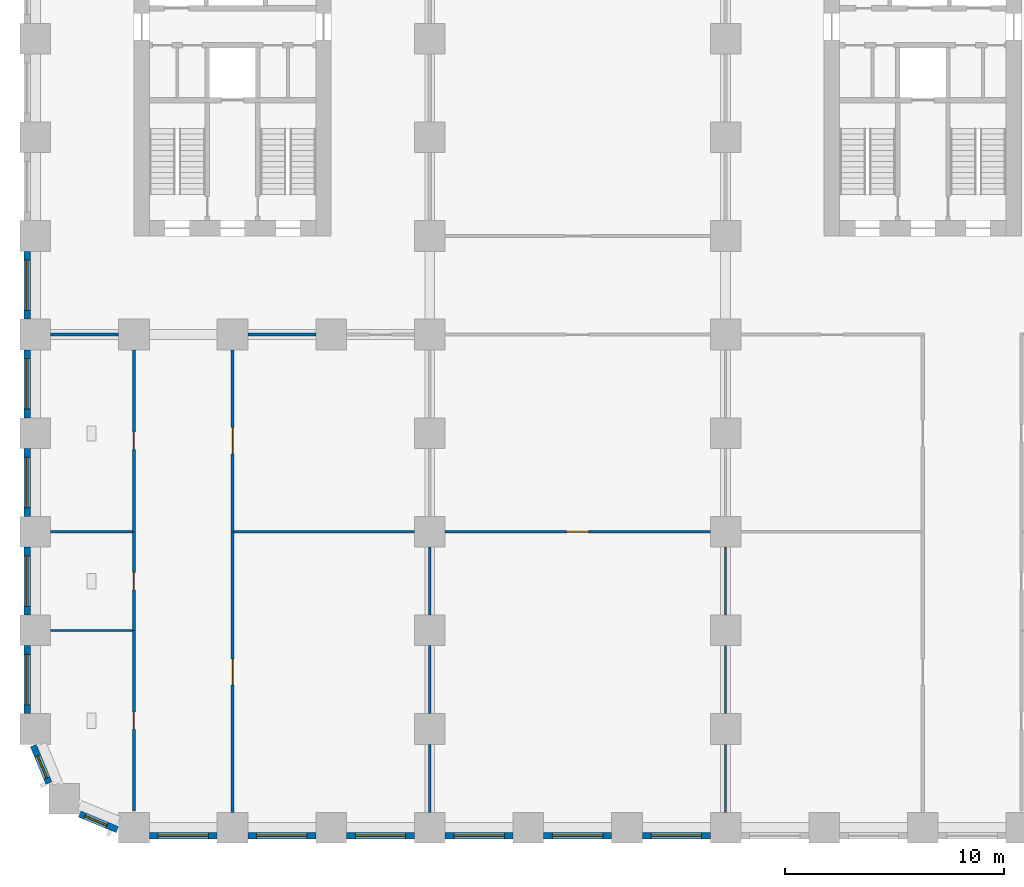
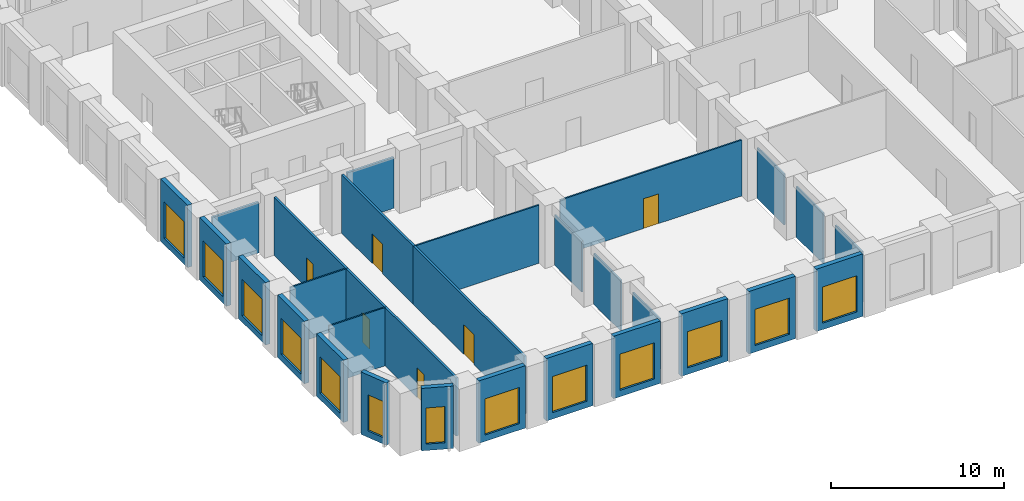
# One storey, part 3 of 14: 30 walls, 13 windows, 6 doors, 19 openings.
"""IFC4 building model written with IfcOpenShell, lengths in metres."""

from ifc_helpers import new_model, si_unit, direction, frame, frame_2d, origin, place, context, subcontext, project, spatial, rectangle, extrude, material, layer, layer_set, type_object, element, fill, save


model = new_model("IFC4")

# Units and contexts
model_context = context("Model", 3, precision=1e-05, world=origin(), true_north=direction((0.0, 1.0)))
body_context = subcontext(model_context, "Body", "Model", "MODEL_VIEW")
ifc_project = project(units=[si_unit("LENGTHUNIT", "METRE"), si_unit("AREAUNIT", "SQUARE_METRE"), si_unit("VOLUMEUNIT", "CUBIC_METRE"), si_unit("PLANEANGLEUNIT", "RADIAN"), si_unit("MASSUNIT", "GRAM", prefix="KILO")], contexts=[model_context])

# Site, building, storey
site_placement = place(None, origin())
site = spatial("IfcSite", under=ifc_project, at=site_placement, CompositionType="ELEMENT")
building_placement = place(site_placement, origin())
building = spatial("IfcBuilding", under=site, at=building_placement, Name="Girih Gate Residences", CompositionType="ELEMENT")
storey_placement = place(building_placement, frame((0.0, 0.0, 26.0)))
storey = spatial("IfcBuildingStorey", under=building, at=storey_placement, Name="L05", CompositionType="ELEMENT", Elevation=26.0)

# Walls
ifc_material_1 = material(Name="Gypsum board on steel studs", Category="steel")
ifc_layer_1 = layer(ifc_material_1, 0.14990234375)
ifc_layer_set_1 = layer_set([ifc_layer_1], Name="Compartment wall 150 mm")
wall_type_1 = type_object("IfcWallType", Name="Compartment wall 150 mm", PredefinedType="PARTITIONING", material=ifc_layer_set_1)
for number, where, z_axis, x_axis, name in (
    (1, (9.699951171875, 22.5, 0.0), (0.0, 0.0, 1.0), (1.0, 0.0, 0.0), "L05 partition"),
    (2, (0.699951171875, 22.5, 0.0), (0.0, 0.0, 1.0), (1.0, 0.0, 0.0), "L05 partition"),
):
    element("IfcWall", number, at=place(storey_placement, frame(where, z_axis=z_axis, x_axis=x_axis)), inside=storey, type_object=wall_type_1, Name=name, PredefinedType="PARTITIONING", context=body_context, shape_type="SweptSolid", body=[
        extrude(rectangle(XDim=3.10009765625, YDim=0.14990234375, at=frame_2d((1.550048828125, 0.0))), origin(), (0.0, 0.0, 1.0), 3.580078125),
    ])

# Wall, opening, door
wall_1_placement = place(storey_placement, frame((9.0, 13.5, 0.0), z_axis=(0.0, 0.0, 1.0), x_axis=(0.0, -1.0, 0.0)))
wall_1 = element("IfcWall", 3, at=wall_1_placement, inside=storey, type_object=wall_type_1, Name="L05 partition", PredefinedType="PARTITIONING", context=body_context, shape_type="SweptSolid", body=[
    extrude(rectangle(XDim=12.800048828125, YDim=0.14990234375, at=frame_2d((6.39990234375, 0.0))), origin(), (0.0, 0.0, 1.0), 4.10009765625),
])
opening_1_placement = place(wall_1_placement, frame((5.800048828125, 0.0, 0.0)))
opening_1 = element("IfcOpeningElement", 4, at=opening_1_placement, cuts=wall_1, Name="Opening D-L05-S-018", PredefinedType="OPENING", context=body_context, shape_type="SweptSolid", body=[
    extrude(rectangle(XDim=1.199951171875, YDim=2.10009765625, at=frame_2d((0.60009765625, 1.050048828125))), frame((0.0, 0.0849609375, 0.0), z_axis=(0.0, -1.0, 0.0), x_axis=(1.0, 0.0, 0.0)), (0.0, 0.0, 1.0), 0.169921875),
])
ifc_material_2 = material(Name="Timber, fire-rated core", Category="wood")
door_type_1 = type_object("IfcDoorType", Name="Gallery fire door 1200x2100 FD30S", OperationType="SINGLE_SWING_LEFT", PredefinedType="DOOR", material=ifc_material_2)
door_1_placement = place(opening_1_placement, origin())
door_1 = element("IfcDoor", 5, at=door_1_placement, inside=storey, type_object=door_type_1, Name="Door L05-018", OperationType="SINGLE_SWING_RIGHT", OverallHeight=2.10009765625, OverallWidth=1.199951171875, PredefinedType="DOOR", context=body_context, shape_type="SweptSolid", body=[
    extrude(rectangle(XDim=1.199951171875, YDim=2.10009765625, at=frame_2d((0.60009765625, 1.050048828125))), frame((0.0, 0.02490234375, 0.0), z_axis=(0.0, -1.0, 0.0), x_axis=(1.0, 0.0, 0.0)), (0.0, 0.0, 1.0), 0.050048828125),
])
fill(opening_1, door_1)

wall_2_placement = place(storey_placement, frame((9.0, 21.800048828125, 0.0), z_axis=(0.0, 0.0, 1.0), x_axis=(0.0, -1.0, 0.0)))
wall_2 = element("IfcWall", 6, at=wall_2_placement, inside=storey, type_object=wall_type_1, Name="L05 partition", PredefinedType="PARTITIONING", context=body_context, shape_type="SweptSolid", body=[
    extrude(rectangle(XDim=8.300048828125, YDim=0.14990234375, at=frame_2d((4.14990234375, 0.0))), origin(), (0.0, 0.0, 1.0), 4.10009765625),
])
opening_2_placement = place(wall_2_placement, frame((3.550048828125, 0.0, 0.0)))
opening_2 = element("IfcOpeningElement", 7, at=opening_2_placement, cuts=wall_2, Name="Opening D-L05-S-019", PredefinedType="OPENING", context=body_context, shape_type="SweptSolid", body=[
    extrude(rectangle(XDim=1.199951171875, YDim=2.10009765625, at=frame_2d((0.60009765625, 1.050048828125))), frame((0.0, 0.0849609375, 0.0), z_axis=(0.0, -1.0, 0.0), x_axis=(1.0, 0.0, 0.0)), (0.0, 0.0, 1.0), 0.169921875),
])
door_2_placement = place(opening_2_placement, origin())
door_2 = element("IfcDoor", 8, at=door_2_placement, inside=storey, type_object=door_type_1, Name="Door L05-019", OperationType="SINGLE_SWING_RIGHT", OverallHeight=2.10009765625, OverallWidth=1.199951171875, PredefinedType="DOOR", context=body_context, shape_type="SweptSolid", body=[
    extrude(rectangle(XDim=1.199951171875, YDim=2.10009765625, at=frame_2d((0.60009765625, 1.050048828125))), frame((0.0, 0.02490234375, 0.0), z_axis=(0.0, -1.0, 0.0), x_axis=(1.0, 0.0, 0.0)), (0.0, 0.0, 1.0), 0.050048828125),
])
fill(opening_2, door_2)

wall_3_placement = place(storey_placement, frame((4.5, 0.757568359375, 0.0), z_axis=(0.0, 0.0, 1.0), x_axis=(0.0, 1.0, 0.0)))
wall_3 = element("IfcWall", 9, at=wall_3_placement, inside=storey, type_object=wall_type_1, Name="L05 partition", PredefinedType="PARTITIONING", context=body_context, shape_type="SweptSolid", body=[
    extrude(rectangle(XDim=8.242431640625, YDim=0.14990234375, at=frame_2d((4.12109375, 0.0))), origin(), (0.0, 0.0, 1.0), 4.10009765625),
])
opening_3_placement = place(wall_3_placement, frame((3.72119140625, 0.0, 0.0)))
opening_3 = element("IfcOpeningElement", 10, at=opening_3_placement, cuts=wall_3, Name="Opening D-L05-S-020", PredefinedType="OPENING", context=body_context, shape_type="SweptSolid", body=[
    extrude(rectangle(XDim=0.800048828125, YDim=2.10009765625, at=frame_2d((0.39990234375, 1.050048828125))), frame((0.0, 0.0849609375, 0.0), z_axis=(0.0, -1.0, 0.0), x_axis=(1.0, 0.0, 0.0)), (0.0, 0.0, 1.0), 0.169921875),
])
ifc_material_3 = material(Name="Timber", Category="wood")
door_type_2 = type_object("IfcDoorType", Name="WC and store door 800x2100", OperationType="SINGLE_SWING_LEFT", PredefinedType="DOOR", material=ifc_material_3)
door_3_placement = place(opening_3_placement, origin())
door_3 = element("IfcDoor", 11, at=door_3_placement, inside=storey, type_object=door_type_2, Name="Door L05-020", OperationType="SINGLE_SWING_RIGHT", OverallHeight=2.10009765625, OverallWidth=0.800048828125, PredefinedType="DOOR", context=body_context, shape_type="SweptSolid", body=[
    extrude(rectangle(XDim=0.800048828125, YDim=2.10009765625, at=frame_2d((0.39990234375, 1.050048828125))), frame((0.0, 0.02490234375, 0.0), z_axis=(0.0, -1.0, 0.0), x_axis=(1.0, 0.0, 0.0)), (0.0, 0.0, 1.0), 0.050048828125),
])
fill(opening_3, door_3)

wall_4_placement = place(storey_placement, frame((4.5, 9.0, 0.0), z_axis=(0.0, 0.0, 1.0), x_axis=(0.0, 1.0, 0.0)))
wall_4 = element("IfcWall", 12, at=wall_4_placement, inside=storey, type_object=wall_type_1, Name="L05 partition", PredefinedType="PARTITIONING", context=body_context, shape_type="SweptSolid", body=[
    extrude(rectangle(XDim=4.5, YDim=0.14990234375, at=frame_2d((2.25, 0.0))), origin(), (0.0, 0.0, 1.0), 4.10009765625),
])
opening_4_placement = place(wall_4_placement, frame((1.85009765625, 0.0, 0.0)))
opening_4 = element("IfcOpeningElement", 13, at=opening_4_placement, cuts=wall_4, Name="Opening D-L05-S-021", PredefinedType="OPENING", context=body_context, shape_type="SweptSolid", body=[
    extrude(rectangle(XDim=0.800048828125, YDim=2.10009765625, at=frame_2d((0.39990234375, 1.050048828125))), frame((0.0, 0.0849609375, 0.0), z_axis=(0.0, -1.0, 0.0), x_axis=(1.0, 0.0, 0.0)), (0.0, 0.0, 1.0), 0.169921875),
])
door_4_placement = place(opening_4_placement, origin())
door_4 = element("IfcDoor", 14, at=door_4_placement, inside=storey, type_object=door_type_2, Name="Door L05-021", OperationType="SINGLE_SWING_RIGHT", OverallHeight=2.10009765625, OverallWidth=0.800048828125, PredefinedType="DOOR", context=body_context, shape_type="SweptSolid", body=[
    extrude(rectangle(XDim=0.800048828125, YDim=2.10009765625, at=frame_2d((0.39990234375, 1.050048828125))), frame((0.0, 0.02490234375, 0.0), z_axis=(0.0, -1.0, 0.0), x_axis=(1.0, 0.0, 0.0)), (0.0, 0.0, 1.0), 0.050048828125),
])
fill(opening_4, door_4)

wall_5_placement = place(storey_placement, frame((4.5, 13.5, 0.0), z_axis=(0.0, 0.0, 1.0), x_axis=(0.0, 1.0, 0.0)))
wall_5 = element("IfcWall", 15, at=wall_5_placement, inside=storey, type_object=wall_type_1, Name="L05 partition", PredefinedType="PARTITIONING", context=body_context, shape_type="SweptSolid", body=[
    extrude(rectangle(XDim=8.300048828125, YDim=0.14990234375, at=frame_2d((4.14990234375, 0.0))), origin(), (0.0, 0.0, 1.0), 4.10009765625),
])
opening_5_placement = place(wall_5_placement, frame((3.75, 0.0, 0.0)))
opening_5 = element("IfcOpeningElement", 16, at=opening_5_placement, cuts=wall_5, Name="Opening D-L05-S-022", PredefinedType="OPENING", context=body_context, shape_type="SweptSolid", body=[
    extrude(rectangle(XDim=0.800048828125, YDim=2.10009765625, at=frame_2d((0.39990234375, 1.050048828125))), frame((0.0, 0.0849609375, 0.0), z_axis=(0.0, -1.0, 0.0), x_axis=(1.0, 0.0, 0.0)), (0.0, 0.0, 1.0), 0.169921875),
])
door_5_placement = place(opening_5_placement, origin())
door_5 = element("IfcDoor", 17, at=door_5_placement, inside=storey, type_object=door_type_2, Name="Door L05-022", OperationType="SINGLE_SWING_LEFT", OverallHeight=2.10009765625, OverallWidth=0.800048828125, PredefinedType="DOOR", context=body_context, shape_type="SweptSolid", body=[
    extrude(rectangle(XDim=0.800048828125, YDim=2.10009765625, at=frame_2d((0.39990234375, 1.050048828125))), frame((0.0, 0.02490234375, 0.0), z_axis=(0.0, -1.0, 0.0), x_axis=(1.0, 0.0, 0.0)), (0.0, 0.0, 1.0), 0.050048828125),
])
fill(opening_5, door_5)

ifc_layer_2 = layer(ifc_material_1, 0.10009765625)
ifc_layer_set_2 = layer_set([ifc_layer_2], Name="Partition 100 mm")
wall_type_2 = type_object("IfcWallType", Name="Partition 100 mm", PredefinedType="PARTITIONING", material=ifc_layer_set_2)
wall_6_placement = place(storey_placement, frame((30.800048828125, 13.5, 0.0), z_axis=(0.0, 0.0, 1.0), x_axis=(-1.0, 0.0, 0.0)))
wall_6 = element("IfcWall", 18, at=wall_6_placement, inside=storey, type_object=wall_type_2, Name="L05 partition", PredefinedType="PARTITIONING", context=body_context, shape_type="SweptSolid", body=[
    extrude(rectangle(XDim=12.10009765625, YDim=0.10009765625, at=frame_2d((6.050048828125, 0.0))), origin(), (0.0, 0.0, 1.0), 3.949951171875),
])
opening_6_placement = place(wall_6_placement, frame((5.550048828125, 0.0, 0.0)))
opening_6 = element("IfcOpeningElement", 19, at=opening_6_placement, cuts=wall_6, Name="Opening D-L05-S-005", PredefinedType="OPENING", context=body_context, shape_type="SweptSolid", body=[
    extrude(rectangle(XDim=1.0, YDim=2.10009765625, at=frame_2d((0.5, 1.050048828125))), frame((0.0, 0.06005859375, 0.0), z_axis=(0.0, -1.0, 0.0), x_axis=(1.0, 0.0, 0.0)), (0.0, 0.0, 1.0), 0.1201171875),
])
door_type_3 = type_object("IfcDoorType", Name="Amenity door 1000x2100 FD30S", OperationType="SINGLE_SWING_LEFT", PredefinedType="DOOR", material=ifc_material_2)
door_6_placement = place(opening_6_placement, origin())
door_6 = element("IfcDoor", 20, at=door_6_placement, inside=storey, type_object=door_type_3, Name="Door L05-005", OperationType="SINGLE_SWING_RIGHT", OverallHeight=2.10009765625, OverallWidth=1.0, PredefinedType="DOOR", context=body_context, shape_type="SweptSolid", body=[
    extrude(rectangle(XDim=1.0, YDim=2.10009765625, at=frame_2d((0.5, 1.050048828125))), frame((0.0, 0.02490234375, 0.0), z_axis=(0.0, -1.0, 0.0), x_axis=(1.0, 0.0, 0.0)), (0.0, 0.0, 1.0), 0.050048828125),
])
fill(opening_6, door_6)

# Walls
for number, where, z_axis, x_axis, name in (
    (21, (31.5, 9.699951171875, 0.0), (0.0, 0.0, 1.0), (0.0, 1.0, 0.0), "L05 partition"),
    (22, (31.5, 5.199951171875, 0.0), (0.0, 0.0, 1.0), (0.0, 1.0, 0.0), "L05 partition"),
    (23, (31.5, 0.699951171875, 0.0), (0.0, 0.0, 1.0), (0.0, 1.0, 0.0), "L05 partition"),
    (24, (18.0, 0.699951171875, 0.0), (0.0, 0.0, 1.0), (0.0, 1.0, 0.0), "L05 partition"),
    (25, (18.0, 5.199951171875, 0.0), (0.0, 0.0, 1.0), (0.0, 1.0, 0.0), "L05 partition"),
    (26, (18.0, 9.699951171875, 0.0), (0.0, 0.0, 1.0), (0.0, 1.0, 0.0), "L05 partition"),
):
    element("IfcWall", number, at=place(storey_placement, frame(where, z_axis=z_axis, x_axis=x_axis)), inside=storey, type_object=wall_type_2, Name=name, PredefinedType="PARTITIONING", context=body_context, shape_type="SweptSolid", body=[
        extrude(rectangle(XDim=3.10009765625, YDim=0.10009765625, at=frame_2d((1.550048828125, 0.0))), origin(), (0.0, 0.0, 1.0), 3.580078125),
    ])
wall_7_placement = place(storey_placement, frame((9.074951171875, 13.5, 0.0), z_axis=(0.0, 0.0, 1.0), x_axis=(1.0, 0.0, 0.0)))
element("IfcWall", 27, at=wall_7_placement, inside=storey, type_object=wall_type_2, Name="L05 partition", PredefinedType="PARTITIONING", context=body_context, shape_type="SweptSolid", body=[
    extrude(rectangle(XDim=8.22509765625, YDim=0.10009765625, at=frame_2d((4.112548828125, 0.0))), origin(), (0.0, 0.0, 1.0), 4.10009765625),
])
for number, where, z_axis, x_axis, name in (
    (28, (0.699951171875, 9.0, 0.0), (0.0, 0.0, 1.0), (1.0, 0.0, 0.0), "L05 partition"),
    (29, (0.699951171875, 13.5, 0.0), (0.0, 0.0, 1.0), (1.0, 0.0, 0.0), "L05 partition"),
):
    element("IfcWall", number, at=place(storey_placement, frame(where, z_axis=z_axis, x_axis=x_axis)), inside=storey, type_object=wall_type_2, Name=name, PredefinedType="PARTITIONING", context=body_context, shape_type="SweptSolid", body=[
        extrude(rectangle(XDim=3.72509765625, YDim=0.10009765625, at=frame_2d((1.862548828125, 0.0))), origin(), (0.0, 0.0, 1.0), 4.10009765625),
    ])

# Wall, opening, window
ifc_material_4 = material(Name="Precast concrete C50/60", Category="concrete")
ifc_layer_3 = layer(ifc_material_4, 0.080078125, Name="Outer leaf")
ifc_material_5 = material(Name="Rigid PIR insulation")
ifc_layer_4 = layer(ifc_material_5, 0.14990234375, Name="Insulation")
ifc_material_6 = material(Name="Precast concrete C40/50", Category="concrete")
ifc_layer_5 = layer(ifc_material_6, 0.070068359375, Name="Inner leaf")
ifc_layer_set_3 = layer_set([ifc_layer_3, ifc_layer_4, ifc_layer_5], Name="Precast concrete C50/60 external wall 300")
wall_type_3 = type_object("IfcWallType", Name="Precast concrete C50/60 external wall 300", PredefinedType="SOLIDWALL", material=ifc_layer_set_3)
wall_8_placement = place(storey_placement, frame((0.62158203125, 2.01953125, 0.0), z_axis=(0.0, 0.0, 1.0), x_axis=(-0.38262540684, 0.923903565336, 0.0)))
wall_8 = element("IfcWall", 30, at=wall_8_placement, inside=storey, type_object=wall_type_3, Name="External wall SW0000_0045.0", PredefinedType="SOLIDWALL", context=body_context, shape_type="SweptSolid", body=[
    extrude(rectangle(XDim=1.864990234375, YDim=0.300048828125, at=frame_2d((0.9326171875, 0.0))), origin(), (0.0, 0.0, 1.0), 4.39990234375),
])
opening_7_placement = place(wall_8_placement, frame((0.257568359375, 0.0, 0.449951171875)))
opening_7 = element("IfcOpeningElement", 31, at=opening_7_placement, cuts=wall_8, Name="Opening W-2B", PredefinedType="OPENING", context=body_context, shape_type="SweptSolid", body=[
    extrude(rectangle(XDim=1.10009765625, YDim=2.550048828125, at=frame_2d((0.550048828125, 1.27490234375))), frame((0.0, 0.159912109375, 0.0), z_axis=(0.0, -1.0, 0.0), x_axis=(1.0, 0.0, 0.0)), (0.0, 0.0, 1.0), 0.320068359375),
])
ifc_material_7 = material(Name="Double glazing in aluminium frame", Category="aluminium")
window_type_1 = type_object("IfcWindowType", Name="Window W-2B 1100x2550", PartitioningType="SINGLE_PANEL", PredefinedType="WINDOW", material=ifc_material_7)
window_1_placement = place(opening_7_placement, origin())
window_1 = element("IfcWindow", 32, at=window_1_placement, inside=storey, type_object=window_type_1, Name="Window W-2B SW0000_0045.0", OverallHeight=2.550048828125, OverallWidth=1.10009765625, PartitioningType="SINGLE_PANEL", PredefinedType="WINDOW", context=body_context, shape_type="SweptSolid", body=[
    extrude(rectangle(XDim=1.10009765625, YDim=2.550048828125, at=frame_2d((0.550048828125, 1.27490234375))), frame((0.0, 0.030029296875, 0.0), z_axis=(0.0, -1.0, 0.0), x_axis=(1.0, 0.0, 0.0)), (0.0, 0.0, 1.0), 0.06005859375),
])
fill(opening_7, window_1)

wall_9_placement = place(storey_placement, frame((3.74267578125, -0.09228515625, 0.0), z_axis=(0.0, 0.0, 1.0), x_axis=(-0.923857286003, 0.382737135771, 0.0)))
wall_9 = element("IfcWall", 33, at=wall_9_placement, inside=storey, type_object=wall_type_3, Name="External wall SW0013_0013.0", PredefinedType="SOLIDWALL", context=body_context, shape_type="SweptSolid", body=[
    extrude(rectangle(XDim=1.865234375, YDim=0.300048828125, at=frame_2d((0.9326171875, 0.0))), origin(), (0.0, 0.0, 1.0), 4.39990234375),
])
opening_8_placement = place(wall_9_placement, frame((0.507568359375, 0.0, 0.449951171875)))
opening_8 = element("IfcOpeningElement", 34, at=opening_8_placement, cuts=wall_9, Name="Opening W-2B", PredefinedType="OPENING", context=body_context, shape_type="SweptSolid", body=[
    extrude(rectangle(XDim=1.10009765625, YDim=2.550048828125, at=frame_2d((0.550048828125, 1.27490234375))), frame((0.0, 0.159912109375, 0.0), z_axis=(0.0, -1.0, 0.0), x_axis=(1.0, 0.0, 0.0)), (0.0, 0.0, 1.0), 0.320068359375),
])
window_2_placement = place(opening_8_placement, origin())
window_2 = element("IfcWindow", 35, at=window_2_placement, inside=storey, type_object=window_type_1, Name="Window W-2B SW0013_0013.0", OverallHeight=2.550048828125, OverallWidth=1.10009765625, PartitioningType="SINGLE_PANEL", PredefinedType="WINDOW", context=body_context, shape_type="SweptSolid", body=[
    extrude(rectangle(XDim=1.10009765625, YDim=2.550048828125, at=frame_2d((0.550048828125, 1.27490234375))), frame((0.0, 0.030029296875, 0.0), z_axis=(0.0, -1.0, 0.0), x_axis=(1.0, 0.0, 0.0)), (0.0, 0.0, 1.0), 0.06005859375),
])
fill(opening_8, window_2)

wall_10_placement = place(storey_placement, frame((8.300048828125, -0.375, 0.0), z_axis=(0.0, 0.0, 1.0), x_axis=(-1.0, 0.0, 0.0)))
wall_10 = element("IfcWall", 36, at=wall_10_placement, inside=storey, type_object=wall_type_3, Name="External wall S0045_0000.0", PredefinedType="SOLIDWALL", context=body_context, shape_type="SweptSolid", body=[
    extrude(rectangle(XDim=3.10009765625, YDim=0.300048828125, at=frame_2d((1.550048828125, 0.0))), origin(), (0.0, 0.0, 1.0), 4.39990234375),
])
opening_9_placement = place(wall_10_placement, frame((0.39990234375, 0.0, 0.449951171875)))
opening_9 = element("IfcOpeningElement", 37, at=opening_9_placement, cuts=wall_10, Name="Opening W-6", PredefinedType="OPENING", context=body_context, shape_type="SweptSolid", body=[
    extrude(rectangle(XDim=2.300048828125, YDim=2.550048828125, at=frame_2d((1.14990234375, 1.27490234375))), frame((0.0, 0.159912109375, 0.0), z_axis=(0.0, -1.0, 0.0), x_axis=(1.0, 0.0, 0.0)), (0.0, 0.0, 1.0), 0.320068359375),
])
window_type_2 = type_object("IfcWindowType", Name="Window W-6 2300x2550", PartitioningType="SINGLE_PANEL", PredefinedType="WINDOW", material=ifc_material_7)
window_3_placement = place(opening_9_placement, origin())
window_3 = element("IfcWindow", 38, at=window_3_placement, inside=storey, type_object=window_type_2, Name="Window W-6 S0045_0000.0", OverallHeight=2.550048828125, OverallWidth=2.300048828125, PartitioningType="SINGLE_PANEL", PredefinedType="WINDOW", context=body_context, shape_type="SweptSolid", body=[
    extrude(rectangle(XDim=2.300048828125, YDim=2.550048828125, at=frame_2d((1.14990234375, 1.27490234375))), frame((0.0, 0.030029296875, 0.0), z_axis=(0.0, -1.0, 0.0), x_axis=(1.0, 0.0, 0.0)), (0.0, 0.0, 1.0), 0.06005859375),
])
fill(opening_9, window_3)

wall_11_placement = place(storey_placement, frame((12.800048828125, -0.375, 0.0), z_axis=(0.0, 0.0, 1.0), x_axis=(-1.0, 0.0, 0.0)))
wall_11 = element("IfcWall", 39, at=wall_11_placement, inside=storey, type_object=wall_type_3, Name="External wall S0045_0000.1", PredefinedType="SOLIDWALL", context=body_context, shape_type="SweptSolid", body=[
    extrude(rectangle(XDim=3.10009765625, YDim=0.300048828125, at=frame_2d((1.550048828125, 0.0))), origin(), (0.0, 0.0, 1.0), 4.39990234375),
])
opening_10_placement = place(wall_11_placement, frame((0.39990234375, 0.0, 0.449951171875)))
opening_10 = element("IfcOpeningElement", 40, at=opening_10_placement, cuts=wall_11, Name="Opening W-6", PredefinedType="OPENING", context=body_context, shape_type="SweptSolid", body=[
    extrude(rectangle(XDim=2.300048828125, YDim=2.550048828125, at=frame_2d((1.14990234375, 1.27490234375))), frame((0.0, 0.159912109375, 0.0), z_axis=(0.0, -1.0, 0.0), x_axis=(1.0, 0.0, 0.0)), (0.0, 0.0, 1.0), 0.320068359375),
])
window_4_placement = place(opening_10_placement, origin())
window_4 = element("IfcWindow", 41, at=window_4_placement, inside=storey, type_object=window_type_2, Name="Window W-6 S0045_0000.1", OverallHeight=2.550048828125, OverallWidth=2.300048828125, PartitioningType="SINGLE_PANEL", PredefinedType="WINDOW", context=body_context, shape_type="SweptSolid", body=[
    extrude(rectangle(XDim=2.300048828125, YDim=2.550048828125, at=frame_2d((1.14990234375, 1.27490234375))), frame((0.0, 0.030029296875, 0.0), z_axis=(0.0, -1.0, 0.0), x_axis=(1.0, 0.0, 0.0)), (0.0, 0.0, 1.0), 0.06005859375),
])
fill(opening_10, window_4)

wall_12_placement = place(storey_placement, frame((17.300048828125, -0.375, 0.0), z_axis=(0.0, 0.0, 1.0), x_axis=(-1.0, 0.0, 0.0)))
wall_12 = element("IfcWall", 42, at=wall_12_placement, inside=storey, type_object=wall_type_3, Name="External wall S0045_0000.2", PredefinedType="SOLIDWALL", context=body_context, shape_type="SweptSolid", body=[
    extrude(rectangle(XDim=3.10009765625, YDim=0.300048828125, at=frame_2d((1.550048828125, 0.0))), origin(), (0.0, 0.0, 1.0), 4.39990234375),
])
opening_11_placement = place(wall_12_placement, frame((0.39990234375, 0.0, 0.449951171875)))
opening_11 = element("IfcOpeningElement", 43, at=opening_11_placement, cuts=wall_12, Name="Opening W-6", PredefinedType="OPENING", context=body_context, shape_type="SweptSolid", body=[
    extrude(rectangle(XDim=2.300048828125, YDim=2.550048828125, at=frame_2d((1.14990234375, 1.27490234375))), frame((0.0, 0.159912109375, 0.0), z_axis=(0.0, -1.0, 0.0), x_axis=(1.0, 0.0, 0.0)), (0.0, 0.0, 1.0), 0.320068359375),
])
window_5_placement = place(opening_11_placement, origin())
window_5 = element("IfcWindow", 44, at=window_5_placement, inside=storey, type_object=window_type_2, Name="Window W-6 S0045_0000.2", OverallHeight=2.550048828125, OverallWidth=2.300048828125, PartitioningType="SINGLE_PANEL", PredefinedType="WINDOW", context=body_context, shape_type="SweptSolid", body=[
    extrude(rectangle(XDim=2.300048828125, YDim=2.550048828125, at=frame_2d((1.14990234375, 1.27490234375))), frame((0.0, 0.030029296875, 0.0), z_axis=(0.0, -1.0, 0.0), x_axis=(1.0, 0.0, 0.0)), (0.0, 0.0, 1.0), 0.06005859375),
])
fill(opening_11, window_5)

wall_13_placement = place(storey_placement, frame((21.800048828125, -0.375, 0.0), z_axis=(0.0, 0.0, 1.0), x_axis=(-1.0, 0.0, 0.0)))
wall_13 = element("IfcWall", 45, at=wall_13_placement, inside=storey, type_object=wall_type_3, Name="External wall S0045_0000.3", PredefinedType="SOLIDWALL", context=body_context, shape_type="SweptSolid", body=[
    extrude(rectangle(XDim=3.10009765625, YDim=0.300048828125, at=frame_2d((1.550048828125, 0.0))), origin(), (0.0, 0.0, 1.0), 4.39990234375),
])
opening_12_placement = place(wall_13_placement, frame((0.39990234375, 0.0, 0.449951171875)))
opening_12 = element("IfcOpeningElement", 46, at=opening_12_placement, cuts=wall_13, Name="Opening W-6", PredefinedType="OPENING", context=body_context, shape_type="SweptSolid", body=[
    extrude(rectangle(XDim=2.300048828125, YDim=2.550048828125, at=frame_2d((1.14990234375, 1.27490234375))), frame((0.0, 0.159912109375, 0.0), z_axis=(0.0, -1.0, 0.0), x_axis=(1.0, 0.0, 0.0)), (0.0, 0.0, 1.0), 0.320068359375),
])
window_6_placement = place(opening_12_placement, origin())
window_6 = element("IfcWindow", 47, at=window_6_placement, inside=storey, type_object=window_type_2, Name="Window W-6 S0045_0000.3", OverallHeight=2.550048828125, OverallWidth=2.300048828125, PartitioningType="SINGLE_PANEL", PredefinedType="WINDOW", context=body_context, shape_type="SweptSolid", body=[
    extrude(rectangle(XDim=2.300048828125, YDim=2.550048828125, at=frame_2d((1.14990234375, 1.27490234375))), frame((0.0, 0.030029296875, 0.0), z_axis=(0.0, -1.0, 0.0), x_axis=(1.0, 0.0, 0.0)), (0.0, 0.0, 1.0), 0.06005859375),
])
fill(opening_12, window_6)

wall_14_placement = place(storey_placement, frame((26.300048828125, -0.375, 0.0), z_axis=(0.0, 0.0, 1.0), x_axis=(-1.0, 0.0, 0.0)))
wall_14 = element("IfcWall", 48, at=wall_14_placement, inside=storey, type_object=wall_type_3, Name="External wall S0045_0000.4", PredefinedType="SOLIDWALL", context=body_context, shape_type="SweptSolid", body=[
    extrude(rectangle(XDim=3.10009765625, YDim=0.300048828125, at=frame_2d((1.550048828125, 0.0))), origin(), (0.0, 0.0, 1.0), 4.39990234375),
])
opening_13_placement = place(wall_14_placement, frame((0.39990234375, 0.0, 0.449951171875)))
opening_13 = element("IfcOpeningElement", 49, at=opening_13_placement, cuts=wall_14, Name="Opening W-6", PredefinedType="OPENING", context=body_context, shape_type="SweptSolid", body=[
    extrude(rectangle(XDim=2.300048828125, YDim=2.550048828125, at=frame_2d((1.14990234375, 1.27490234375))), frame((0.0, 0.159912109375, 0.0), z_axis=(0.0, -1.0, 0.0), x_axis=(1.0, 0.0, 0.0)), (0.0, 0.0, 1.0), 0.320068359375),
])
window_7_placement = place(opening_13_placement, origin())
window_7 = element("IfcWindow", 50, at=window_7_placement, inside=storey, type_object=window_type_2, Name="Window W-6 S0045_0000.4", OverallHeight=2.550048828125, OverallWidth=2.300048828125, PartitioningType="SINGLE_PANEL", PredefinedType="WINDOW", context=body_context, shape_type="SweptSolid", body=[
    extrude(rectangle(XDim=2.300048828125, YDim=2.550048828125, at=frame_2d((1.14990234375, 1.27490234375))), frame((0.0, 0.030029296875, 0.0), z_axis=(0.0, -1.0, 0.0), x_axis=(1.0, 0.0, 0.0)), (0.0, 0.0, 1.0), 0.06005859375),
])
fill(opening_13, window_7)

wall_15_placement = place(storey_placement, frame((30.800048828125, -0.375, 0.0), z_axis=(0.0, 0.0, 1.0), x_axis=(-1.0, 0.0, 0.0)))
wall_15 = element("IfcWall", 51, at=wall_15_placement, inside=storey, type_object=wall_type_3, Name="External wall S0045_0000.5", PredefinedType="SOLIDWALL", context=body_context, shape_type="SweptSolid", body=[
    extrude(rectangle(XDim=3.10009765625, YDim=0.300048828125, at=frame_2d((1.550048828125, 0.0))), origin(), (0.0, 0.0, 1.0), 4.39990234375),
])
opening_14_placement = place(wall_15_placement, frame((0.39990234375, 0.0, 0.449951171875)))
opening_14 = element("IfcOpeningElement", 52, at=opening_14_placement, cuts=wall_15, Name="Opening W-6", PredefinedType="OPENING", context=body_context, shape_type="SweptSolid", body=[
    extrude(rectangle(XDim=2.300048828125, YDim=2.550048828125, at=frame_2d((1.14990234375, 1.27490234375))), frame((0.0, 0.159912109375, 0.0), z_axis=(0.0, -1.0, 0.0), x_axis=(1.0, 0.0, 0.0)), (0.0, 0.0, 1.0), 0.320068359375),
])
window_8_placement = place(opening_14_placement, origin())
window_8 = element("IfcWindow", 53, at=window_8_placement, inside=storey, type_object=window_type_2, Name="Window W-6 S0045_0000.5", OverallHeight=2.550048828125, OverallWidth=2.300048828125, PartitioningType="SINGLE_PANEL", PredefinedType="WINDOW", context=body_context, shape_type="SweptSolid", body=[
    extrude(rectangle(XDim=2.300048828125, YDim=2.550048828125, at=frame_2d((1.14990234375, 1.27490234375))), frame((0.0, 0.030029296875, 0.0), z_axis=(0.0, -1.0, 0.0), x_axis=(1.0, 0.0, 0.0)), (0.0, 0.0, 1.0), 0.06005859375),
])
fill(opening_14, window_8)

wall_16_placement = place(storey_placement, frame((-0.375, 23.199951171875, 0.0), z_axis=(0.0, 0.0, 1.0), x_axis=(0.0, 1.0, 0.0)))
wall_16 = element("IfcWall", 54, at=wall_16_placement, inside=storey, type_object=wall_type_3, Name="External wall W0000_0450.4", PredefinedType="SOLIDWALL", context=body_context, shape_type="SweptSolid", body=[
    extrude(rectangle(XDim=3.10009765625, YDim=0.300048828125, at=frame_2d((1.550048828125, 0.0))), origin(), (0.0, 0.0, 1.0), 4.39990234375),
])
opening_15_placement = place(wall_16_placement, frame((0.39990234375, 0.0, 0.449951171875)))
opening_15 = element("IfcOpeningElement", 55, at=opening_15_placement, cuts=wall_16, Name="Opening W-6", PredefinedType="OPENING", context=body_context, shape_type="SweptSolid", body=[
    extrude(rectangle(XDim=2.300048828125, YDim=2.550048828125, at=frame_2d((1.14990234375, 1.27490234375))), frame((0.0, 0.159912109375, 0.0), z_axis=(0.0, -1.0, 0.0), x_axis=(1.0, 0.0, 0.0)), (0.0, 0.0, 1.0), 0.320068359375),
])
window_9_placement = place(opening_15_placement, origin())
window_9 = element("IfcWindow", 56, at=window_9_placement, inside=storey, type_object=window_type_2, Name="Window W-6 W0000_0450.4", OverallHeight=2.550048828125, OverallWidth=2.300048828125, PartitioningType="SINGLE_PANEL", PredefinedType="WINDOW", context=body_context, shape_type="SweptSolid", body=[
    extrude(rectangle(XDim=2.300048828125, YDim=2.550048828125, at=frame_2d((1.14990234375, 1.27490234375))), frame((0.0, 0.030029296875, 0.0), z_axis=(0.0, -1.0, 0.0), x_axis=(1.0, 0.0, 0.0)), (0.0, 0.0, 1.0), 0.06005859375),
])
fill(opening_15, window_9)

wall_17_placement = place(storey_placement, frame((-0.375, 18.699951171875, 0.0), z_axis=(0.0, 0.0, 1.0), x_axis=(0.0, 1.0, 0.0)))
wall_17 = element("IfcWall", 57, at=wall_17_placement, inside=storey, type_object=wall_type_3, Name="External wall W0000_0450.5", PredefinedType="SOLIDWALL", context=body_context, shape_type="SweptSolid", body=[
    extrude(rectangle(XDim=3.10009765625, YDim=0.300048828125, at=frame_2d((1.550048828125, 0.0))), origin(), (0.0, 0.0, 1.0), 4.39990234375),
])
opening_16_placement = place(wall_17_placement, frame((0.39990234375, 0.0, 0.449951171875)))
opening_16 = element("IfcOpeningElement", 58, at=opening_16_placement, cuts=wall_17, Name="Opening W-6", PredefinedType="OPENING", context=body_context, shape_type="SweptSolid", body=[
    extrude(rectangle(XDim=2.300048828125, YDim=2.550048828125, at=frame_2d((1.14990234375, 1.27490234375))), frame((0.0, 0.159912109375, 0.0), z_axis=(0.0, -1.0, 0.0), x_axis=(1.0, 0.0, 0.0)), (0.0, 0.0, 1.0), 0.320068359375),
])
window_10_placement = place(opening_16_placement, origin())
window_10 = element("IfcWindow", 59, at=window_10_placement, inside=storey, type_object=window_type_2, Name="Window W-6 W0000_0450.5", OverallHeight=2.550048828125, OverallWidth=2.300048828125, PartitioningType="SINGLE_PANEL", PredefinedType="WINDOW", context=body_context, shape_type="SweptSolid", body=[
    extrude(rectangle(XDim=2.300048828125, YDim=2.550048828125, at=frame_2d((1.14990234375, 1.27490234375))), frame((0.0, 0.030029296875, 0.0), z_axis=(0.0, -1.0, 0.0), x_axis=(1.0, 0.0, 0.0)), (0.0, 0.0, 1.0), 0.06005859375),
])
fill(opening_16, window_10)

wall_18_placement = place(storey_placement, frame((-0.375, 14.199951171875, 0.0), z_axis=(0.0, 0.0, 1.0), x_axis=(0.0, 1.0, 0.0)))
wall_18 = element("IfcWall", 60, at=wall_18_placement, inside=storey, type_object=wall_type_3, Name="External wall W0000_0450.6", PredefinedType="SOLIDWALL", context=body_context, shape_type="SweptSolid", body=[
    extrude(rectangle(XDim=3.10009765625, YDim=0.300048828125, at=frame_2d((1.550048828125, 0.0))), origin(), (0.0, 0.0, 1.0), 4.39990234375),
])
opening_17_placement = place(wall_18_placement, frame((0.39990234375, 0.0, 0.449951171875)))
opening_17 = element("IfcOpeningElement", 61, at=opening_17_placement, cuts=wall_18, Name="Opening W-6", PredefinedType="OPENING", context=body_context, shape_type="SweptSolid", body=[
    extrude(rectangle(XDim=2.300048828125, YDim=2.550048828125, at=frame_2d((1.14990234375, 1.27490234375))), frame((0.0, 0.159912109375, 0.0), z_axis=(0.0, -1.0, 0.0), x_axis=(1.0, 0.0, 0.0)), (0.0, 0.0, 1.0), 0.320068359375),
])
window_11_placement = place(opening_17_placement, origin())
window_11 = element("IfcWindow", 62, at=window_11_placement, inside=storey, type_object=window_type_2, Name="Window W-6 W0000_0450.6", OverallHeight=2.550048828125, OverallWidth=2.300048828125, PartitioningType="SINGLE_PANEL", PredefinedType="WINDOW", context=body_context, shape_type="SweptSolid", body=[
    extrude(rectangle(XDim=2.300048828125, YDim=2.550048828125, at=frame_2d((1.14990234375, 1.27490234375))), frame((0.0, 0.030029296875, 0.0), z_axis=(0.0, -1.0, 0.0), x_axis=(1.0, 0.0, 0.0)), (0.0, 0.0, 1.0), 0.06005859375),
])
fill(opening_17, window_11)

wall_19_placement = place(storey_placement, frame((-0.375, 9.699951171875, 0.0), z_axis=(0.0, 0.0, 1.0), x_axis=(0.0, 1.0, 0.0)))
wall_19 = element("IfcWall", 63, at=wall_19_placement, inside=storey, type_object=wall_type_3, Name="External wall W0000_0450.7", PredefinedType="SOLIDWALL", context=body_context, shape_type="SweptSolid", body=[
    extrude(rectangle(XDim=3.10009765625, YDim=0.300048828125, at=frame_2d((1.550048828125, 0.0))), origin(), (0.0, 0.0, 1.0), 4.39990234375),
])
opening_18_placement = place(wall_19_placement, frame((0.39990234375, 0.0, 0.449951171875)))
opening_18 = element("IfcOpeningElement", 64, at=opening_18_placement, cuts=wall_19, Name="Opening W-6", PredefinedType="OPENING", context=body_context, shape_type="SweptSolid", body=[
    extrude(rectangle(XDim=2.300048828125, YDim=2.550048828125, at=frame_2d((1.14990234375, 1.27490234375))), frame((0.0, 0.159912109375, 0.0), z_axis=(0.0, -1.0, 0.0), x_axis=(1.0, 0.0, 0.0)), (0.0, 0.0, 1.0), 0.320068359375),
])
window_12_placement = place(opening_18_placement, origin())
window_12 = element("IfcWindow", 65, at=window_12_placement, inside=storey, type_object=window_type_2, Name="Window W-6 W0000_0450.7", OverallHeight=2.550048828125, OverallWidth=2.300048828125, PartitioningType="SINGLE_PANEL", PredefinedType="WINDOW", context=body_context, shape_type="SweptSolid", body=[
    extrude(rectangle(XDim=2.300048828125, YDim=2.550048828125, at=frame_2d((1.14990234375, 1.27490234375))), frame((0.0, 0.030029296875, 0.0), z_axis=(0.0, -1.0, 0.0), x_axis=(1.0, 0.0, 0.0)), (0.0, 0.0, 1.0), 0.06005859375),
])
fill(opening_18, window_12)

wall_20_placement = place(storey_placement, frame((-0.375, 5.199951171875, 0.0), z_axis=(0.0, 0.0, 1.0), x_axis=(0.0, 1.0, 0.0)))
wall_20 = element("IfcWall", 66, at=wall_20_placement, inside=storey, type_object=wall_type_3, Name="External wall W0000_0450.8", PredefinedType="SOLIDWALL", context=body_context, shape_type="SweptSolid", body=[
    extrude(rectangle(XDim=3.10009765625, YDim=0.300048828125, at=frame_2d((1.550048828125, 0.0))), origin(), (0.0, 0.0, 1.0), 4.39990234375),
])
opening_19_placement = place(wall_20_placement, frame((0.39990234375, 0.0, 0.449951171875)))
opening_19 = element("IfcOpeningElement", 67, at=opening_19_placement, cuts=wall_20, Name="Opening W-6", PredefinedType="OPENING", context=body_context, shape_type="SweptSolid", body=[
    extrude(rectangle(XDim=2.300048828125, YDim=2.550048828125, at=frame_2d((1.14990234375, 1.27490234375))), frame((0.0, 0.159912109375, 0.0), z_axis=(0.0, -1.0, 0.0), x_axis=(1.0, 0.0, 0.0)), (0.0, 0.0, 1.0), 0.320068359375),
])
window_13_placement = place(opening_19_placement, origin())
window_13 = element("IfcWindow", 68, at=window_13_placement, inside=storey, type_object=window_type_2, Name="Window W-6 W0000_0450.8", OverallHeight=2.550048828125, OverallWidth=2.300048828125, PartitioningType="SINGLE_PANEL", PredefinedType="WINDOW", context=body_context, shape_type="SweptSolid", body=[
    extrude(rectangle(XDim=2.300048828125, YDim=2.550048828125, at=frame_2d((1.14990234375, 1.27490234375))), frame((0.0, 0.030029296875, 0.0), z_axis=(0.0, -1.0, 0.0), x_axis=(1.0, 0.0, 0.0)), (0.0, 0.0, 1.0), 0.06005859375),
])
fill(opening_19, window_13)

save(model, "model.ifc")
